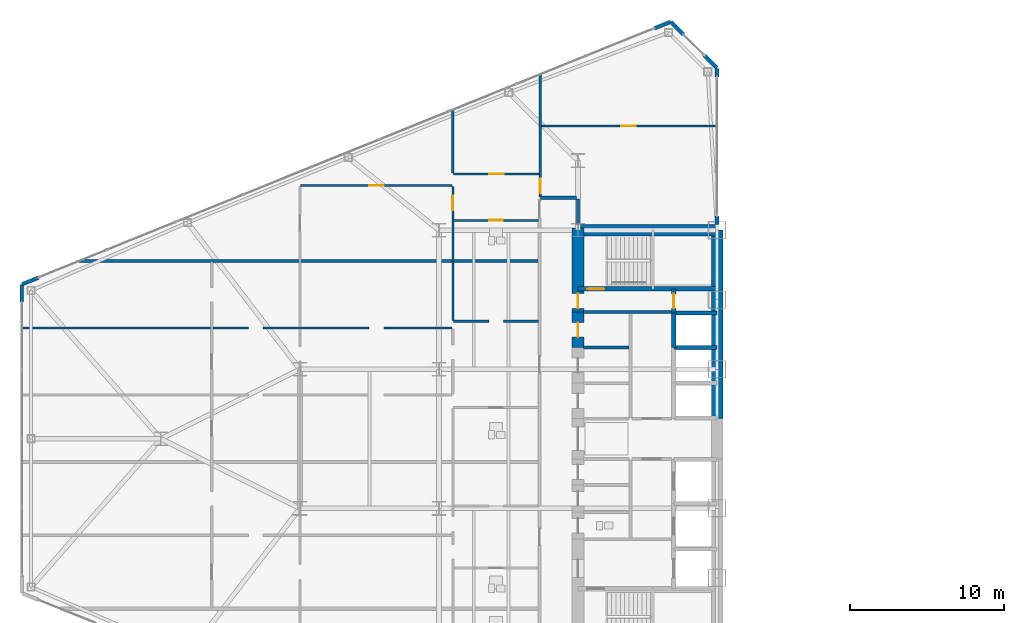
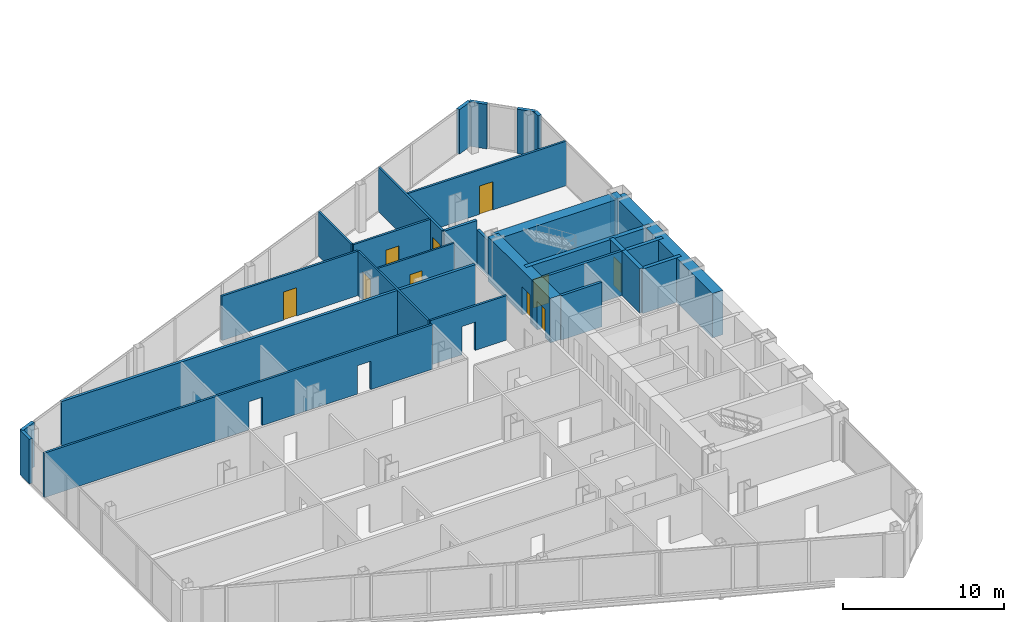
# One storey, part 19 of 25: 30 walls, 10 doors, 13 openings.
"""IFC4 building model written with IfcOpenShell, lengths in metres."""

from ifc_helpers import new_model, si_unit, direction, frame, frame_2d, origin, place, context, subcontext, project, spatial, rectangle, extrude, source, transform, mapped, material, layer, layer_set, type_object, type_shapes, element, fill, save


model = new_model("IFC4")

# Units and contexts
model_context = context("Model", 3, precision=1e-05, world=origin(), true_north=direction((0.0, 1.0)))
body_context = subcontext(model_context, "Body", "Model", "MODEL_VIEW")
ifc_project = project(units=[si_unit("LENGTHUNIT", "METRE"), si_unit("AREAUNIT", "SQUARE_METRE"), si_unit("VOLUMEUNIT", "CUBIC_METRE"), si_unit("PLANEANGLEUNIT", "RADIAN"), si_unit("MASSUNIT", "GRAM", prefix="KILO")], contexts=[model_context])

# Site, building, storey
site_placement = place(None, origin())
site = spatial("IfcSite", under=ifc_project, at=site_placement, CompositionType="ELEMENT")
building_placement = place(site_placement, origin())
building = spatial("IfcBuilding", under=site, at=building_placement, Name="Seokmaru Belvedere", CompositionType="ELEMENT")
storey_placement = place(building_placement, frame((0.0, 0.0, 36.89990234375)))
storey = spatial("IfcBuildingStorey", under=building, at=storey_placement, Name="L09", CompositionType="ELEMENT", Elevation=36.89990234375)

# Wall, openings
ifc_material_1 = material(Name="Fire-Rated Gypsum Shaftwall")
ifc_layer_1 = layer(ifc_material_1, 0.14990234375)
ifc_layer_set_1 = layer_set([ifc_layer_1], Name="Fire-Rated Gypsum Shaftwall")
wall_type_1 = type_object("IfcWallType", Name="Apartment Fire-Acoustic Room Partition 150", PredefinedType="PARTITIONING", material=ifc_layer_set_1)
wall_1_placement = place(storey_placement, frame((-72.534912109375, 7.169921875, 0.0), z_axis=(0.0, 0.0, 1.0), x_axis=(1.0, 0.0, 0.0)))
wall_1 = element("IfcWall", 1, at=wall_1_placement, inside=storey, type_object=wall_type_1, Name="L09 Interior Partition 028", PredefinedType="PARTITIONING", context=body_context, shape_type="SweptSolid", body=[
    extrude(rectangle(XDim=27.885009765625, YDim=0.14990234375, at=frame_2d((13.9423828125, 0.0))), origin(), (0.0, 0.0, 1.0), 3.380126953125),
])
opening_1_placement = place(wall_1_placement, frame((22.510009765625, 0.0, 0.0)))
element("IfcOpeningElement", 2, at=opening_1_placement, cuts=wall_1, Name="L09 Cased Opening 026", PredefinedType="OPENING", context=body_context, shape_type="SweptSolid", body=[
    extrude(rectangle(XDim=0.949951171875, YDim=2.14990234375, at=frame_2d((0.47509765625, 1.074951171875))), frame((0.0, 0.0849609375, 0.0), z_axis=(0.0, -1.0, 0.0), x_axis=(1.0, 0.0, 0.0)), (0.0, 0.0, 1.0), 0.169921875),
])
opening_2_placement = place(wall_1_placement, frame((14.7099609375, 0.0, 0.0)))
element("IfcOpeningElement", 3, at=opening_2_placement, cuts=wall_1, Name="L09 Cased Opening 030", PredefinedType="OPENING", context=body_context, shape_type="SweptSolid", body=[
    extrude(rectangle(XDim=0.949951171875, YDim=2.14990234375, at=frame_2d((0.47509765625, 1.074951171875))), frame((0.0, 0.0849609375, 0.0), z_axis=(0.0, -1.0, 0.0), x_axis=(1.0, 0.0, 0.0)), (0.0, 0.0, 1.0), 0.169921875),
])

# Wall, opening
wall_2_placement = place(storey_placement, frame((-44.550048828125, 7.60009765625, 0.0), z_axis=(0.0, 0.0, 1.0), x_axis=(1.0, 0.0, 0.0)))
wall_2 = element("IfcWall", 4, at=wall_2_placement, inside=storey, type_object=wall_type_1, Name="L09 Interior Partition 029", PredefinedType="PARTITIONING", context=body_context, shape_type="SweptSolid", body=[
    extrude(rectangle(XDim=5.5, YDim=0.14990234375, at=frame_2d((2.75, 0.0))), origin(), (0.0, 0.0, 1.0), 3.380126953125),
])
opening_3_placement = place(wall_2_placement, frame((2.27490234375, 0.0, 0.0)))
element("IfcOpeningElement", 5, at=opening_3_placement, cuts=wall_2, Name="L09 Cased Opening 022", PredefinedType="OPENING", context=body_context, shape_type="SweptSolid", body=[
    extrude(rectangle(XDim=0.949951171875, YDim=2.14990234375, at=frame_2d((0.47509765625, 1.074951171875))), frame((0.0, 0.0849609375, 0.0), z_axis=(0.0, -1.0, 0.0), x_axis=(1.0, 0.0, 0.0)), (0.0, 0.0, 1.0), 0.169921875),
])

# Wall, opening, door
wall_3_placement = place(storey_placement, frame((-54.449951171875, 16.39990234375, 0.0), z_axis=(0.0, 0.0, 1.0), x_axis=(1.0, 0.0, 0.0)))
wall_3 = element("IfcWall", 6, at=wall_3_placement, inside=storey, type_object=wall_type_1, Name="L09 Interior Partition 039", PredefinedType="PARTITIONING", context=body_context, shape_type="SweptSolid", body=[
    extrude(rectangle(XDim=9.800048828125, YDim=0.14990234375, at=frame_2d((4.89990234375, 0.0))), origin(), (0.0, 0.0, 1.0), 3.380126953125),
])
opening_4_placement = place(wall_3_placement, frame((4.425048828125, 0.0, 0.0)))
opening_4 = element("IfcOpeningElement", 7, at=opening_4_placement, cuts=wall_3, Name="Opening D05", PredefinedType="OPENING", context=body_context, shape_type="SweptSolid", body=[
    extrude(rectangle(XDim=0.949951171875, YDim=2.14990234375, at=frame_2d((0.47509765625, 1.074951171875))), frame((0.0, 0.0849609375, 0.0), z_axis=(0.0, -1.0, 0.0), x_axis=(1.0, 0.0, 0.0)), (0.0, 0.0, 1.0), 0.169921875),
])
ifc_material_2 = material(Name="Engineered White Oak Timber", Category="wood")
door_type_1 = type_object("IfcDoorType", Name="Apartment Interior Fire-Rated Oak Door 950x2150", OperationType="NOTDEFINED", PredefinedType="DOOR", material=ifc_material_2)
shared_shape_1 = source(origin(), body_context, "Body", "SweptSolid", [
    extrude(rectangle(XDim=0.949951171875, YDim=2.14990234375, at=frame_2d((0.47509765625, 1.074951171875))), frame((0.0, 0.02490234375, 0.0), z_axis=(0.0, -1.0, 0.0), x_axis=(1.0, 0.0, 0.0)), (0.0, 0.0, 1.0), 0.050048828125),
])
type_shapes(door_type_1, [shared_shape_1])
door_1_placement = place(opening_4_placement, origin())
door_1 = element("IfcDoor", 8, at=door_1_placement, inside=storey, type_object=door_type_1, Name="L09 Interior Door 038", OperationType="SINGLE_SWING_LEFT", OverallHeight=2.14990234375, OverallWidth=0.949951171875, PredefinedType="DOOR", context=body_context, shape_type="MappedRepresentation", body=[
    mapped(shared_shape_1, transform((0.0, 0.0, 0.0), scale=1.0)),
])
fill(opening_4, door_1)

wall_4_placement = place(storey_placement, frame((-44.550048828125, 17.139892578125, 0.0), z_axis=(0.0, 0.0, 1.0), x_axis=(1.0, 0.0, 0.0)))
wall_4 = element("IfcWall", 9, at=wall_4_placement, inside=storey, type_object=wall_type_1, Name="L09 Interior Partition 040", PredefinedType="PARTITIONING", context=body_context, shape_type="SweptSolid", body=[
    extrude(rectangle(XDim=5.550048828125, YDim=0.14990234375, at=frame_2d((2.77490234375, 0.0))), origin(), (0.0, 0.0, 1.0), 3.380126953125),
])
opening_5_placement = place(wall_4_placement, frame((2.300048828125, 0.0, 0.0)))
opening_5 = element("IfcOpeningElement", 10, at=opening_5_placement, cuts=wall_4, Name="Opening D05", PredefinedType="OPENING", context=body_context, shape_type="SweptSolid", body=[
    extrude(rectangle(XDim=0.949951171875, YDim=2.14990234375, at=frame_2d((0.47509765625, 1.074951171875))), frame((0.0, 0.0849609375, 0.0), z_axis=(0.0, -1.0, 0.0), x_axis=(1.0, 0.0, 0.0)), (0.0, 0.0, 1.0), 0.169921875),
])
door_2_placement = place(opening_5_placement, origin())
door_2 = element("IfcDoor", 11, at=door_2_placement, inside=storey, type_object=door_type_1, Name="L09 Interior Door 034", OperationType="SINGLE_SWING_LEFT", OverallHeight=2.14990234375, OverallWidth=0.949951171875, PredefinedType="DOOR", context=body_context, shape_type="MappedRepresentation", body=[
    mapped(shared_shape_1, transform((0.0, 0.0, 0.0), scale=1.0)),
])
fill(opening_5, door_2)

wall_5_placement = place(storey_placement, frame((-38.89990234375, 20.25, 0.0), z_axis=(0.0, 0.0, 1.0), x_axis=(1.0, 0.0, 0.0)))
wall_5 = element("IfcWall", 12, at=wall_5_placement, inside=storey, type_object=wall_type_1, Name="L09 Interior Partition 043", PredefinedType="PARTITIONING", context=body_context, shape_type="SweptSolid", body=[
    extrude(rectangle(XDim=11.434814453125, YDim=0.14990234375, at=frame_2d((5.71728515625, 0.0))), origin(), (0.0, 0.0, 1.0), 3.380126953125),
])
opening_6_placement = place(wall_5_placement, frame((5.199951171875, 0.0, 0.0)))
opening_6 = element("IfcOpeningElement", 13, at=opening_6_placement, cuts=wall_5, Name="Opening D05", PredefinedType="OPENING", context=body_context, shape_type="SweptSolid", body=[
    extrude(rectangle(XDim=0.949951171875, YDim=2.14990234375, at=frame_2d((0.47509765625, 1.074951171875))), frame((0.0, 0.0849609375, 0.0), z_axis=(0.0, -1.0, 0.0), x_axis=(1.0, 0.0, 0.0)), (0.0, 0.0, 1.0), 0.169921875),
])
door_3_placement = place(opening_6_placement, origin())
door_3 = element("IfcDoor", 14, at=door_3_placement, inside=storey, type_object=door_type_1, Name="L09 Interior Door 039", OperationType="SINGLE_SWING_RIGHT", OverallHeight=2.14990234375, OverallWidth=0.949951171875, PredefinedType="DOOR", context=body_context, shape_type="MappedRepresentation", body=[
    mapped(shared_shape_1, transform((0.0, 0.0, 0.0), scale=1.0)),
])
fill(opening_6, door_3)

# Wall
wall_6_placement = place(storey_placement, frame((-44.60009765625, 17.195068359375, 0.0), z_axis=(0.0, 0.0, 1.0), x_axis=(0.0, 1.0, 0.0)))
element("IfcWall", 15, at=wall_6_placement, inside=storey, type_object=wall_type_1, Name="L09 Interior Partition 051", PredefinedType="PARTITIONING", context=body_context, shape_type="SweptSolid", body=[
    extrude(rectangle(XDim=4.1328125, YDim=0.14990234375, at=frame_2d((2.06640625, 0.0))), origin(), (0.0, 0.0, 1.0), 3.380126953125),
])

# Wall, opening, door
wall_7_placement = place(storey_placement, frame((-38.949951171875, 15.64990234375, 0.0), z_axis=(0.0, 0.0, 1.0), x_axis=(0.0, 1.0, 0.0)))
wall_7 = element("IfcWall", 16, at=wall_7_placement, inside=storey, type_object=wall_type_1, Name="L09 Interior Partition 054", PredefinedType="PARTITIONING", context=body_context, shape_type="SweptSolid", body=[
    extrude(rectangle(XDim=7.965087890625, YDim=0.14990234375, at=frame_2d((3.982421875, 0.0))), origin(), (0.0, 0.0, 1.0), 3.380126953125),
])
opening_7_placement = place(wall_7_placement, frame((0.24755859375, 0.0, 0.0)))
opening_7 = element("IfcOpeningElement", 17, at=opening_7_placement, cuts=wall_7, Name="Opening D05", PredefinedType="OPENING", context=body_context, shape_type="SweptSolid", body=[
    extrude(rectangle(XDim=0.949951171875, YDim=2.14990234375, at=frame_2d((0.47509765625, 1.074951171875))), frame((0.0, 0.0849609375, 0.0), z_axis=(0.0, -1.0, 0.0), x_axis=(1.0, 0.0, 0.0)), (0.0, 0.0, 1.0), 0.169921875),
])
door_4_placement = place(opening_7_placement, origin())
door_4 = element("IfcDoor", 18, at=door_4_placement, inside=storey, type_object=door_type_1, Name="L09 Interior Door 036", OperationType="SINGLE_SWING_LEFT", OverallHeight=2.14990234375, OverallWidth=0.949951171875, PredefinedType="DOOR", context=body_context, shape_type="MappedRepresentation", body=[
    mapped(shared_shape_1, transform((0.0, 0.0, 0.0), scale=1.0)),
])
fill(opening_7, door_4)

# Walls
ifc_layer_2 = layer(ifc_material_1, 0.179931640625)
ifc_layer_set_2 = layer_set([ifc_layer_2], Name="Fire-Rated Gypsum Shaftwall")
wall_type_2 = type_object("IfcWallType", Name="Core Service Fire Partition 180", PredefinedType="PARTITIONING", material=ifc_layer_set_2)
wall_8_placement = place(storey_placement, frame((-36.14990234375, 8.199951171875, 0.0), z_axis=(0.0, 0.0, 1.0), x_axis=(1.0, 0.0, 0.0)))
element("IfcWall", 19, at=wall_8_placement, inside=storey, type_object=wall_type_2, Name="L09 West Smokeproof Vestibule Partition", PredefinedType="PARTITIONING", context=body_context, shape_type="SweptSolid", body=[
    extrude(rectangle(XDim=5.699951171875, YDim=0.179931640625, at=frame_2d((2.85009765625, 0.0))), origin(), (0.0, 0.0, 1.0), 3.380126953125),
])
wall_9_placement = place(storey_placement, frame((-36.14990234375, 5.89990234375, 0.0), z_axis=(0.0, 0.0, 1.0), x_axis=(1.0, 0.0, 0.0)))
element("IfcWall", 20, at=wall_9_placement, inside=storey, type_object=wall_type_2, Name="L09 West Core Service Partition 4", PredefinedType="PARTITIONING", context=body_context, shape_type="SweptSolid", body=[
    extrude(rectangle(XDim=2.949951171875, YDim=0.179931640625, at=frame_2d((1.47509765625, 0.0))), origin(), (0.0, 0.0, 1.0), 3.380126953125),
])
ifc_material_3 = material(Name="Concrete C50 (50 MPa)", Category="concrete")
ifc_layer_3 = layer(ifc_material_3, 0.25)
ifc_layer_set_3 = layer_set([ifc_layer_3], Name="Concrete C50 (50 MPa)")
wall_type_3 = type_object("IfcWallType", Name="Hoistway Transverse Concrete Divider Wall 250", PredefinedType="SHEAR", material=ifc_layer_set_3)
for number, where, z_axis, x_axis, name in (
    (21, (-30.300048828125, 5.89990234375, 0.0), (0.0, 0.0, 1.0), (1.0, 0.0, 0.0), "L09 West Hoistway Divider Core Wall 6"),
    (22, (-30.300048828125, 8.14990234375, 0.0), (0.0, 0.0, 1.0), (1.0, 0.0, 0.0), "L09 West Hoistway Divider Core Wall 7"),
):
    element("IfcWall", number, at=place(storey_placement, frame(where, z_axis=z_axis, x_axis=x_axis)), inside=storey, type_object=wall_type_3, Name=name, PredefinedType="SHEAR", context=body_context, shape_type="SweptSolid", body=[
        extrude(rectangle(XDim=2.800048828125, YDim=0.25, at=frame_2d((1.39990234375, 0.0))), origin(), (0.0, 0.0, 1.0), 3.380126953125),
    ])
ifc_layer_4 = layer(ifc_material_1, 0.199951171875)
ifc_layer_set_4 = layer_set([ifc_layer_4], Name="Fire-Rated Gypsum Shaftwall")
wall_type_4 = type_object("IfcWallType", Name="Inter-Tenancy Fire Compartment Partition 200", PredefinedType="PARTITIONING", material=ifc_layer_set_4)
wall_10_placement = place(storey_placement, frame((-68.806884765625, 11.5, 0.0), z_axis=(0.0, 0.0, 1.0), x_axis=(1.0, 0.0, 0.0)))
element("IfcWall", 23, at=wall_10_placement, inside=storey, type_object=wall_type_4, Name="L09 Interior Partition 032", PredefinedType="PARTITIONING", context=body_context, shape_type="SweptSolid", body=[
    extrude(rectangle(XDim=29.726806640625, YDim=0.199951171875, at=frame_2d((14.86328125, 0.0))), origin(), (0.0, 0.0, 1.0), 3.380126953125),
])
wall_11_placement = place(storey_placement, frame((-38.9150390625, 15.60009765625, 0.0), z_axis=(0.0, 0.0, 1.0), x_axis=(1.0, 0.0, 0.0)))
element("IfcWall", 24, at=wall_11_placement, inside=storey, type_object=wall_type_4, Name="L09 Interior Partition 037", PredefinedType="PARTITIONING", context=body_context, shape_type="SweptSolid", body=[
    extrude(rectangle(XDim=2.330078125, YDim=0.199951171875, at=frame_2d((1.1650390625, 0.0))), origin(), (0.0, 0.0, 1.0), 3.380126953125),
])
wall_12_placement = place(storey_placement, frame((-36.5, 13.8798828125, 0.0), z_axis=(0.0, 0.0, 1.0), x_axis=(0.0, 1.0, 0.0)))
element("IfcWall", 25, at=wall_12_placement, inside=storey, type_object=wall_type_4, Name="L09 Interior Partition 056", PredefinedType="PARTITIONING", context=body_context, shape_type="SweptSolid", body=[
    extrude(rectangle(XDim=1.635009765625, YDim=0.199951171875, at=frame_2d((0.8173828125, 0.0))), origin(), (0.0, 0.0, 1.0), 2.68017578125),
])

# Wall, opening, door
ifc_layer_5 = layer(ifc_material_3, 0.300048828125)
ifc_layer_set_5 = layer_set([ifc_layer_5], Name="Concrete C50 (50 MPa)")
wall_type_5 = type_object("IfcWallType", Name="Internal Core Stair and Hoistway Wall 300", PredefinedType="SHEAR", material=ifc_layer_set_5)
wall_13_placement = place(storey_placement, frame((-36.5, 9.699951171875, 0.0), z_axis=(0.0, 0.0, 1.0), x_axis=(1.0, 0.0, 0.0)))
wall_13 = element("IfcWall", 26, at=wall_13_placement, inside=storey, type_object=wall_type_5, Name="L09 West Stair ST-2 Enclosure Wall", PredefinedType="SHEAR", context=body_context, shape_type="SweptSolid", body=[
    extrude(rectangle(XDim=9.0, YDim=0.300048828125, at=frame_2d((4.5, 0.0))), origin(), (0.0, 0.0, 1.0), 3.380126953125),
])
opening_8_placement = place(wall_13_placement, frame((0.60009765625, 0.0, 0.0)))
opening_8 = element("IfcOpeningElement", 27, at=opening_8_placement, cuts=wall_13, Name="Opening D01", PredefinedType="OPENING", context=body_context, shape_type="SweptSolid", body=[
    extrude(rectangle(XDim=1.10009765625, YDim=2.199951171875, at=frame_2d((0.550048828125, 1.10009765625))), frame((0.0, 0.16015625, 0.0), z_axis=(0.0, -1.0, 0.0), x_axis=(1.0, 0.0, 0.0)), (0.0, 0.0, 1.0), 0.320068359375),
])
ifc_material_4 = material(Name="Fire-Rated Steel Leaf", Category="steel")
door_type_2 = type_object("IfcDoorType", Name="Special Escape Stair Smokeproof Fire Door 1100x2200", OperationType="NOTDEFINED", PredefinedType="DOOR", material=ifc_material_4)
shared_shape_2 = source(origin(), body_context, "Body", "SweptSolid", [
    extrude(rectangle(XDim=1.10009765625, YDim=2.199951171875, at=frame_2d((0.550048828125, 1.10009765625))), frame((0.0, 0.02490234375, 0.0), z_axis=(0.0, -1.0, 0.0), x_axis=(1.0, 0.0, 0.0)), (0.0, 0.0, 1.0), 0.050048828125),
])
type_shapes(door_type_2, [shared_shape_2])
door_5_placement = place(opening_8_placement, origin())
door_5 = element("IfcDoor", 28, at=door_5_placement, inside=storey, type_object=door_type_2, Name="L09 West Special Escape Stair ST-2 Door", OperationType="SINGLE_SWING_RIGHT", OverallHeight=2.199951171875, OverallWidth=1.10009765625, PredefinedType="DOOR", context=body_context, shape_type="MappedRepresentation", body=[
    mapped(shared_shape_2, transform((0.0, 0.0, 0.0), scale=1.0)),
])
fill(opening_8, door_5)

# Wall
wall_14_placement = place(storey_placement, frame((-30.300048828125, 5.89990234375, 0.0), z_axis=(0.0, 0.0, 1.0), x_axis=(0.0, 1.0, 0.0)))
element("IfcWall", 29, at=wall_14_placement, inside=storey, type_object=wall_type_5, Name="L09 West North Hoistway Wall OBS", PredefinedType="SHEAR", context=body_context, shape_type="SweptSolid", body=[
    extrude(rectangle(XDim=2.25, YDim=0.300048828125, at=frame_2d((1.125, 0.0))), origin(), (0.0, 0.0, 1.0), 3.380126953125),
])

# Wall, opening, door
wall_15_placement = place(storey_placement, frame((-30.300048828125, 8.14990234375, 0.0), z_axis=(0.0, 0.0, 1.0), x_axis=(0.0, 1.0, 0.0)))
wall_15 = element("IfcWall", 30, at=wall_15_placement, inside=storey, type_object=wall_type_5, Name="L09 West Electrical Riser Front Wall", PredefinedType="SHEAR", context=body_context, shape_type="SweptSolid", body=[
    extrude(rectangle(XDim=1.530029296875, YDim=0.300048828125, at=frame_2d((0.76513671875, 0.0))), origin(), (0.0, 0.0, 1.0), 3.380126953125),
])
opening_9_placement = place(wall_15_placement, frame((0.284912109375, 0.0, 0.0)))
opening_9 = element("IfcOpeningElement", 31, at=opening_9_placement, cuts=wall_15, Name="Opening D04", PredefinedType="OPENING", context=body_context, shape_type="SweptSolid", body=[
    extrude(rectangle(XDim=0.949951171875, YDim=2.14990234375, at=frame_2d((0.47509765625, 1.074951171875))), frame((0.0, 0.16015625, 0.0), z_axis=(0.0, -1.0, 0.0), x_axis=(1.0, 0.0, 0.0)), (0.0, 0.0, 1.0), 0.320068359375),
])
door_type_3 = type_object("IfcDoorType", Name="Core Service Room Fire Door 950x2150", OperationType="NOTDEFINED", PredefinedType="DOOR", material=ifc_material_4)
shared_shape_3 = source(origin(), body_context, "Body", "SweptSolid", [
    extrude(rectangle(XDim=0.949951171875, YDim=2.14990234375, at=frame_2d((0.47509765625, 1.074951171875))), frame((0.0, 0.02490234375, 0.0), z_axis=(0.0, -1.0, 0.0), x_axis=(1.0, 0.0, 0.0)), (0.0, 0.0, 1.0), 0.050048828125),
])
type_shapes(door_type_3, [shared_shape_3])
door_6_placement = place(opening_9_placement, origin())
door_6 = element("IfcDoor", 32, at=door_6_placement, inside=storey, type_object=door_type_3, Name="L09 West Electrical Riser Access Door", OperationType="SINGLE_SWING_LEFT", OverallHeight=2.14990234375, OverallWidth=0.949951171875, PredefinedType="DOOR", context=body_context, shape_type="MappedRepresentation", body=[
    mapped(shared_shape_3, transform((0.0, 0.0, 0.0), scale=1.0)),
])
fill(opening_9, door_6)

# Walls
ifc_material_5 = material(Name="Concrete C60 (60 MPa)", Category="concrete")
ifc_layer_6 = layer(ifc_material_5, 0.75)
ifc_layer_set_6 = layer_set([ifc_layer_6], Name="Concrete C60 (60 MPa)")
wall_type_6 = type_object("IfcWallType", Name="Lower Tower Reinforced Concrete Core Wall 750", PredefinedType="SHEAR", material=ifc_layer_set_6)
wall_16_placement = place(storey_placement, frame((-27.5, 1.300048828125, 0.0), z_axis=(0.0, 0.0, 1.0), x_axis=(0.0, 1.0, 0.0)))
element("IfcWall", 33, at=wall_16_placement, inside=storey, type_object=wall_type_6, Name="L09 West Portal Spine Core Wall North", PredefinedType="SHEAR", context=body_context, shape_type="SweptSolid", body=[
    extrude(rectangle(XDim=12.199951171875, YDim=0.75, at=frame_2d((6.10009765625, 0.0))), origin(), (0.0, 0.0, 1.0), 3.380126953125),
])
wall_17_placement = place(storey_placement, frame((-36.5, 13.5, 0.0), z_axis=(0.0, 0.0, 1.0), x_axis=(1.0, 0.0, 0.0)))
element("IfcWall", 34, at=wall_17_placement, inside=storey, type_object=wall_type_6, Name="L09 West North Core Wall", PredefinedType="SHEAR", context=body_context, shape_type="SweptSolid", body=[
    extrude(rectangle(XDim=9.0, YDim=0.75, at=frame_2d((4.5, 0.0))), origin(), (0.0, 0.0, 1.0), 3.380126953125),
])

# Wall, opening, door
wall_18_placement = place(storey_placement, frame((-36.5, 8.199951171875, 0.0), z_axis=(0.0, 0.0, 1.0), x_axis=(0.0, 1.0, 0.0)))
wall_18 = element("IfcWall", 35, at=wall_18_placement, inside=storey, type_object=wall_type_6, Name="L09 West West Core Wall VST", PredefinedType="SHEAR", context=body_context, shape_type="SweptSolid", body=[
    extrude(rectangle(XDim=5.449951171875, YDim=0.75, at=frame_2d((2.72509765625, 0.0))), origin(), (0.0, 0.0, 1.0), 3.380126953125),
])
opening_10_placement = place(wall_18_placement, frame((0.2451171875, 0.0, 0.0)))
opening_10 = element("IfcOpeningElement", 36, at=opening_10_placement, cuts=wall_18, Name="Opening D04", PredefinedType="OPENING", context=body_context, shape_type="SweptSolid", body=[
    extrude(rectangle(XDim=0.949951171875, YDim=2.14990234375, at=frame_2d((0.47509765625, 1.074951171875))), frame((0.0, 0.385009765625, 0.0), z_axis=(0.0, -1.0, 0.0), x_axis=(1.0, 0.0, 0.0)), (0.0, 0.0, 1.0), 0.77001953125),
])
door_7_placement = place(opening_10_placement, frame((0.949951171875, 0.0, 0.0), z_axis=(0.0, 0.0, 1.0), x_axis=(-1.0, 0.0, 0.0)))
door_7 = element("IfcDoor", 37, at=door_7_placement, inside=storey, type_object=door_type_3, Name="L09 West Smokeproof Vestibule Door", OperationType="SINGLE_SWING_RIGHT", OverallHeight=2.14990234375, OverallWidth=0.949951171875, PredefinedType="DOOR", context=body_context, shape_type="MappedRepresentation", body=[
    mapped(shared_shape_3, transform((0.0, 0.0, 0.0), scale=1.0)),
])
fill(opening_10, door_7)

wall_19_placement = place(storey_placement, frame((-36.5, 5.89990234375, 0.0), z_axis=(0.0, 0.0, 1.0), x_axis=(0.0, 1.0, 0.0)))
wall_19 = element("IfcWall", 38, at=wall_19_placement, inside=storey, type_object=wall_type_6, Name="L09 West West Core Wall CS6", PredefinedType="SHEAR", context=body_context, shape_type="SweptSolid", body=[
    extrude(rectangle(XDim=2.300048828125, YDim=0.75, at=frame_2d((1.14990234375, 0.0))), origin(), (0.0, 0.0, 1.0), 3.380126953125),
])
opening_11_placement = place(wall_19_placement, frame((0.675048828125, 0.0, 0.0)))
opening_11 = element("IfcOpeningElement", 39, at=opening_11_placement, cuts=wall_19, Name="Opening D04", PredefinedType="OPENING", context=body_context, shape_type="SweptSolid", body=[
    extrude(rectangle(XDim=0.949951171875, YDim=2.14990234375, at=frame_2d((0.47509765625, 1.074951171875))), frame((0.0, 0.385009765625, 0.0), z_axis=(0.0, -1.0, 0.0), x_axis=(1.0, 0.0, 0.0)), (0.0, 0.0, 1.0), 0.77001953125),
])
door_8_placement = place(opening_11_placement, origin())
door_8 = element("IfcDoor", 40, at=door_8_placement, inside=storey, type_object=door_type_3, Name="L09 West Core Service Room Door 6", OperationType="SINGLE_SWING_RIGHT", OverallHeight=2.14990234375, OverallWidth=0.949951171875, PredefinedType="DOOR", context=body_context, shape_type="MappedRepresentation", body=[
    mapped(shared_shape_3, transform((0.0, 0.0, 0.0), scale=1.0)),
])
fill(opening_11, door_8)

ifc_layer_7 = layer(ifc_material_1, 0.1298828125)
ifc_layer_set_7 = layer_set([ifc_layer_7], Name="Fire-Rated Gypsum Shaftwall")
wall_type_7 = type_object("IfcWallType", Name="Moisture-Resistant Fire-Rated Bathroom Partition 130", PredefinedType="PARTITIONING", material=ifc_layer_set_7)
wall_20_placement = place(storey_placement, frame((-44.550048828125, 14.139892578125, 0.0), z_axis=(0.0, 0.0, 1.0), x_axis=(1.0, 0.0, 0.0)))
wall_20 = element("IfcWall", 41, at=wall_20_placement, inside=storey, type_object=wall_type_7, Name="L09 Interior Partition 034", PredefinedType="PARTITIONING", context=body_context, shape_type="SweptSolid", body=[
    extrude(rectangle(XDim=5.5, YDim=0.1298828125, at=frame_2d((2.75, 0.0))), origin(), (0.0, 0.0, 1.0), 3.380126953125),
])
opening_12_placement = place(wall_20_placement, frame((2.31005859375, 0.0, 0.0)))
opening_12 = element("IfcOpeningElement", 42, at=opening_12_placement, cuts=wall_20, Name="Opening D06", PredefinedType="OPENING", context=body_context, shape_type="SweptSolid", body=[
    extrude(rectangle(XDim=0.8798828125, YDim=2.10009765625, at=frame_2d((0.43994140625, 1.050048828125))), frame((0.0, 0.074951171875, 0.0), z_axis=(0.0, -1.0, 0.0), x_axis=(1.0, 0.0, 0.0)), (0.0, 0.0, 1.0), 0.14990234375),
])
door_type_4 = type_object("IfcDoorType", Name="Bathroom and Restroom Fire-Rated Door 880x2100", OperationType="NOTDEFINED", PredefinedType="DOOR", material=ifc_material_2)
shared_shape_4 = source(origin(), body_context, "Body", "SweptSolid", [
    extrude(rectangle(XDim=0.8798828125, YDim=2.10009765625, at=frame_2d((0.43994140625, 1.050048828125))), frame((0.0, 0.02490234375, 0.0), z_axis=(0.0, -1.0, 0.0), x_axis=(1.0, 0.0, 0.0)), (0.0, 0.0, 1.0), 0.050048828125),
])
type_shapes(door_type_4, [shared_shape_4])
door_9_placement = place(opening_12_placement, origin())
door_9 = element("IfcDoor", 43, at=door_9_placement, inside=storey, type_object=door_type_4, Name="L09 Interior Door 033", OperationType="SINGLE_SWING_LEFT", OverallHeight=2.10009765625, OverallWidth=0.8798828125, PredefinedType="DOOR", context=body_context, shape_type="MappedRepresentation", body=[
    mapped(shared_shape_4, transform((0.0, 0.0, 0.0), scale=1.0)),
])
fill(opening_12, door_9)

wall_21_placement = place(storey_placement, frame((-44.60009765625, 7.652099609375, 0.0), z_axis=(0.0, 0.0, 1.0), x_axis=(0.0, 1.0, 0.0)))
wall_21 = element("IfcWall", 44, at=wall_21_placement, inside=storey, type_object=wall_type_7, Name="L09 Interior Partition 050", PredefinedType="PARTITIONING", context=body_context, shape_type="SweptSolid", body=[
    extrude(rectangle(XDim=8.69384765625, YDim=0.1298828125, at=frame_2d((4.346923828125, 0.0))), origin(), (0.0, 0.0, 1.0), 3.380126953125),
])
opening_13_placement = place(wall_21_placement, frame((7.143798828125, 0.0, 0.0)))
opening_13 = element("IfcOpeningElement", 45, at=opening_13_placement, cuts=wall_21, Name="Opening D05", PredefinedType="OPENING", context=body_context, shape_type="SweptSolid", body=[
    extrude(rectangle(XDim=0.949951171875, YDim=2.14990234375, at=frame_2d((0.47509765625, 1.074951171875))), frame((0.0, 0.074951171875, 0.0), z_axis=(0.0, -1.0, 0.0), x_axis=(1.0, 0.0, 0.0)), (0.0, 0.0, 1.0), 0.14990234375),
])
door_10_placement = place(opening_13_placement, origin())
door_10 = element("IfcDoor", 46, at=door_10_placement, inside=storey, type_object=door_type_1, Name="L09 Interior Door 035", OperationType="SINGLE_SWING_RIGHT", OverallHeight=2.14990234375, OverallWidth=0.949951171875, PredefinedType="DOOR", context=body_context, shape_type="MappedRepresentation", body=[
    mapped(shared_shape_1, transform((0.0, 0.0, 0.0), scale=1.0)),
])
fill(opening_13, door_10)

# Walls
ifc_material_6 = material(Name="Anodised Bronze Aluminium", Category="aluminium")
ifc_layer_8 = layer(ifc_material_6, 0.239990234375)
ifc_layer_set_8 = layer_set([ifc_layer_8], Name="Anodised Bronze Aluminium")
wall_type_8 = type_object("IfcWallType", Name="Tower Corner Spandrel Closure Wall 240", PredefinedType="SOLIDWALL", material=ifc_layer_set_8)
wall_22_placement = place(storey_placement, frame((-27.5, 13.8798828125, 0.0), z_axis=(0.0, 0.0, 1.0), x_axis=(0.0, 1.0, 0.0)))
element("IfcWall", 47, at=wall_22_placement, inside=storey, type_object=wall_type_8, Name="L09 W Spine Closure Pier 2A", PredefinedType="SOLIDWALL", context=body_context, shape_type="SweptSolid", body=[
    extrude(rectangle(XDim=0.550048828125, YDim=0.239990234375, at=frame_2d((0.27490234375, 0.0))), origin(), (0.0, 0.0, 1.0), 2.880126953125),
])
wall_23_placement = place(storey_placement, frame((-27.5, 23.429931640625, 0.0), z_axis=(0.0, 0.0, 1.0), x_axis=(0.0, 1.0, 0.0)))
element("IfcWall", 48, at=wall_23_placement, inside=storey, type_object=wall_type_8, Name="L09 W Spine Closure Pier 2B", PredefinedType="SOLIDWALL", context=body_context, shape_type="SweptSolid", body=[
    extrude(rectangle(XDim=0.550048828125, YDim=0.239990234375, at=frame_2d((0.27490234375, 0.0))), origin(), (0.0, 0.0, 1.0), 3.380126953125),
])
for number, where, z_axis, x_axis, name in (
    (49, (-27.507080078125, 24.007080078125, 0.0), (0.0, 0.0, 1.0), (-0.707106781187, 0.707106781187, 0.0), "L09 W Corner Closure Pier 2A"),
    (50, (-29.686767578125, 26.186767578125, 0.0), (0.0, 0.0, 1.0), (-0.707106781187, 0.707106781187, 0.0), "L09 W Corner Closure Pier 2B"),
):
    element("IfcWall", number, at=place(storey_placement, frame(where, z_axis=z_axis, x_axis=x_axis)), inside=storey, type_object=wall_type_8, Name=name, PredefinedType="SOLIDWALL", context=body_context, shape_type="SweptSolid", body=[
        extrude(rectangle(XDim=1.14013671875, YDim=0.239990234375, at=frame_2d((0.570068359375, 0.0))), origin(), (0.0, 0.0, 1.0), 3.380126953125),
    ])
for number, where, z_axis, x_axis, name in (
    (51, (-30.50927734375, 26.99609375, 0.0), (0.0, 0.0, 1.0), (-0.927007103665, -0.375043770452, 0.0), "L09 W Corner Closure Pier 3A"),
    (52, (-71.43408203125, 10.431396484375, 0.0), (0.0, 0.0, 1.0), (-0.927007103665, -0.375043770452, 0.0), "L09 W Corner Closure Pier 3B"),
    (53, (-72.5, 9.989990234375, 0.0), (0.0, 0.0, 1.0), (0.0, -1.0, 0.0), "L09 W Corner Closure Pier 4A"),
):
    element("IfcWall", number, at=place(storey_placement, frame(where, z_axis=z_axis, x_axis=x_axis)), inside=storey, type_object=wall_type_8, Name=name, PredefinedType="SOLIDWALL", context=body_context, shape_type="SweptSolid", body=[
        extrude(rectangle(XDim=1.139892578125, YDim=0.239990234375, at=frame_2d((0.56982421875, 0.0))), origin(), (0.0, 0.0, 1.0), 3.380126953125),
    ])

save(model, "model.ifc")
